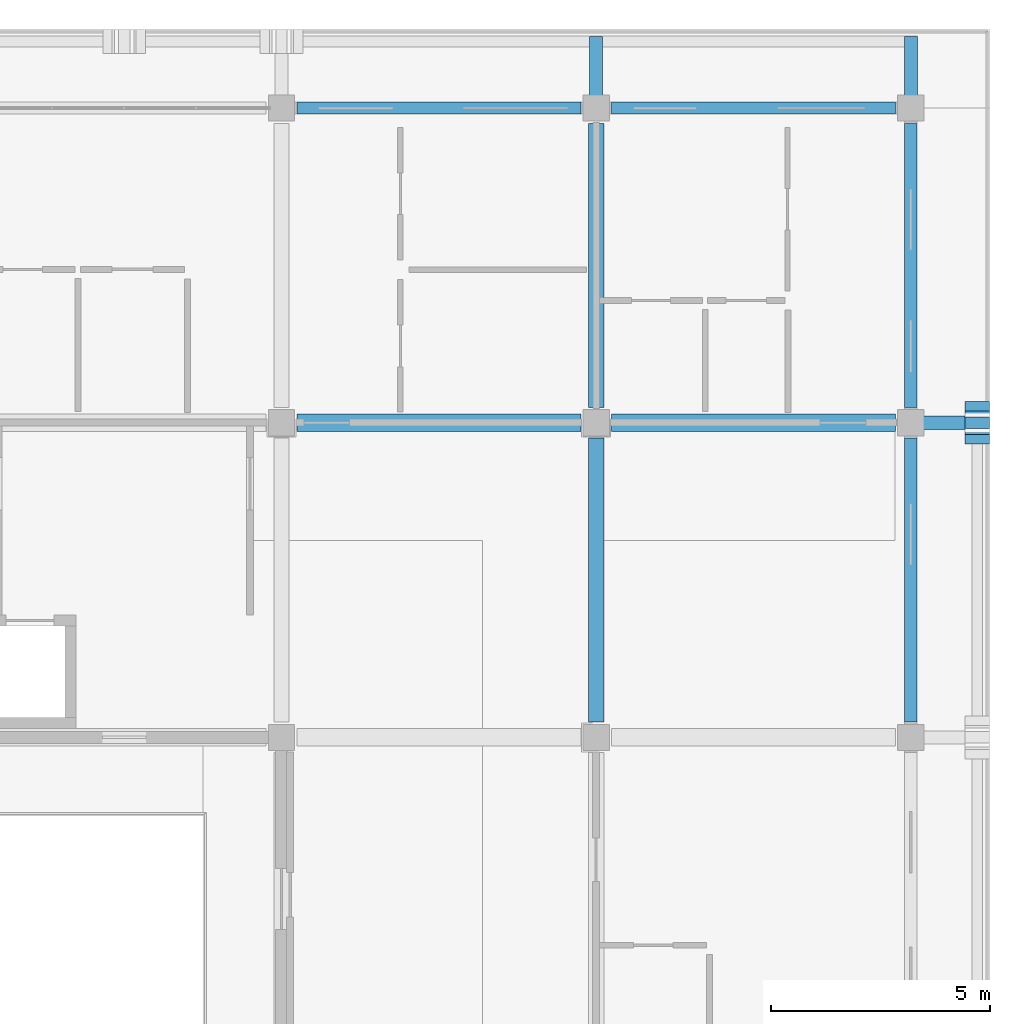
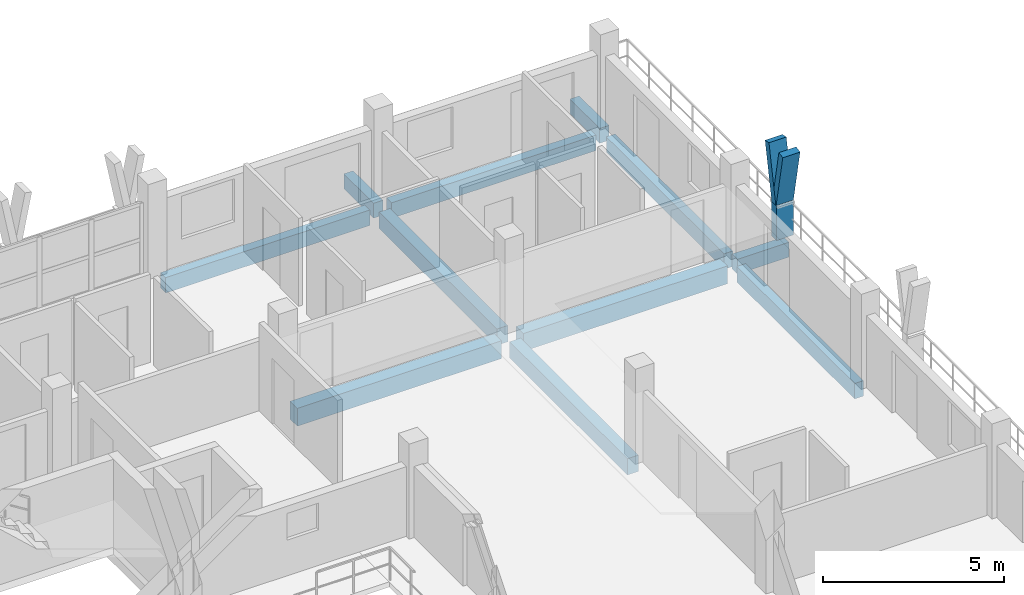
# One storey, part 92 of 157: 11 beams, 3 members.
"""IFC4 building model written with IfcOpenShell, lengths in metres."""

from ifc_helpers import new_model, si_unit, direction, frame, origin, origin_2d, place, context, subcontext, project, spatial, rectangle, extrude, material, material_profile, profile_set, type_object, element, save


model = new_model("IFC4")

# Units and contexts
model_context = context("Model", 3, precision=1e-05, world=origin(), true_north=direction((0.0, 1.0)))
body_context = subcontext(model_context, "Body", "Model", "MODEL_VIEW")
ifc_project = project(units=[si_unit("LENGTHUNIT", "METRE"), si_unit("AREAUNIT", "SQUARE_METRE"), si_unit("VOLUMEUNIT", "CUBIC_METRE"), si_unit("PLANEANGLEUNIT", "RADIAN"), si_unit("MASSUNIT", "GRAM", prefix="KILO")], contexts=[model_context])

# Site, building, storey
site_placement = place(None, origin())
site = spatial("IfcSite", under=ifc_project, at=site_placement, CompositionType="ELEMENT")
building_placement = place(site_placement, origin())
building = spatial("IfcBuilding", under=site, at=building_placement, Name="Suanplinth Sawtooth Commons", CompositionType="ELEMENT")
storey_placement = place(building_placement, frame((0.0, 0.0, 9.0)))
storey = spatial("IfcBuildingStorey", under=building, at=storey_placement, Name="L02", CompositionType="ELEMENT", Elevation=9.0)

# Beams
ifc_material_1 = material(Name="Precast concrete C40/50", Category="concrete")
ifc_material_profile_1 = material_profile(ifc_material_1, rectangle(XDim=0.39990234375, YDim=0.60009765625, at=origin_2d()), Name="PC-GDR 400x600")
ifc_profile_set_1 = profile_set([ifc_material_profile_1], Name="Precast concrete C40/50")
beam_type_1 = type_object("IfcBeamType", Name="B-05", PredefinedType="USERDEFINED", material=ifc_profile_set_1)
for number, where, z_axis, x_axis, name in (
    (1, (173.14990234375, 115.199951171875, -0.550048828125), (1.0, 0.0, 0.0), (0.0, 1.0, 0.0), "BMX-L02-B-24-16"),
    (2, (180.35009765625, 115.199951171875, -0.550048828125), (1.0, 0.0, 0.0), (0.0, 1.0, 0.0), "BMX-L02-B-25-16"),
):
    element("IfcBeam", number, at=place(storey_placement, frame(where, z_axis=z_axis, x_axis=x_axis)), inside=storey, type_object=beam_type_1, Name=name, ObjectType="GIRDER", PredefinedType="USERDEFINED", context=body_context, shape_type="SweptSolid", body=[
        extrude(rectangle(XDim=0.39990234375, YDim=0.60009765625, at=origin_2d()), origin(), (0.0, 0.0, 1.0), 6.5),
    ])
ifc_material_profile_2 = material_profile(ifc_material_1, rectangle(XDim=0.35009765625, YDim=0.550048828125, at=origin_2d()), Name="PC-BM 350x550")
ifc_profile_set_2 = profile_set([ifc_material_profile_2], Name="Precast concrete C40/50")
beam_type_2 = type_object("IfcBeamType", Name="B-06", PredefinedType="BEAM", material=ifc_profile_set_2)
for number, where, z_axis, x_axis, name in (
    (3, (180.0, 108.35009765625, -0.52490234375), (0.0, 1.0, 0.0), (-1.0, 0.0, 0.0), "BMY-L02-B-25-15"),
    (4, (180.0, 115.550048828125, -0.52490234375), (0.0, 1.0, 0.0), (-1.0, 0.0, 0.0), "BMY-L02-B-25-16"),
):
    element("IfcBeam", number, at=place(storey_placement, frame(where, z_axis=z_axis, x_axis=x_axis)), inside=storey, type_object=beam_type_2, Name=name, PredefinedType="BEAM", context=body_context, shape_type="SweptSolid", body=[
        extrude(rectangle(XDim=0.35009765625, YDim=0.550048828125, at=origin_2d()), origin(), (0.0, 0.0, 1.0), 6.5),
    ])
ifc_material_profile_3 = material_profile(ifc_material_1, rectangle(XDim=0.300048828125, YDim=0.5, at=origin_2d()), Name="PC-BM 300x500")
ifc_profile_set_3 = profile_set([ifc_material_profile_3], Name="Precast concrete C40/50")
beam_type_3 = type_object("IfcBeamType", Name="B-07", PredefinedType="BEAM", material=ifc_profile_set_3)
for number, where, z_axis, x_axis, name in (
    (5, (180.0, 122.39990234375, -0.429931640625), (0.0, 1.0, 0.0), (-1.0, 0.0, 0.0), "Balcony Outrigger L02-B-N-25"),
    (6, (187.199951171875, 122.39990234375, -0.429931640625), (0.0, 1.0, 0.0), (-1.0, 0.0, 0.0), "Balcony Outrigger L02-B-N-26"),
    (7, (187.199951171875, 115.199951171875, -0.429931640625), (1.0, 0.0, 0.0), (0.0, 1.0, 0.0), "Balcony Outrigger L02-B-E-16"),
):
    element("IfcBeam", number, at=place(storey_placement, frame(where, z_axis=z_axis, x_axis=x_axis)), inside=storey, type_object=beam_type_3, Name=name, PredefinedType="BEAM", context=body_context, shape_type="SweptSolid", body=[
        extrude(rectangle(XDim=0.300048828125, YDim=0.5, at=origin_2d()), origin(), (0.0, 0.0, 1.0), 1.64013671875),
    ])
ifc_material_profile_4 = material_profile(ifc_material_1, rectangle(XDim=0.280029296875, YDim=0.52001953125, at=origin_2d()), Name="PC-SP 280x520")
ifc_profile_set_4 = profile_set([ifc_material_profile_4], Name="Precast concrete C40/50")
beam_type_4 = type_object("IfcBeamType", Name="B-08", PredefinedType="SPANDREL", material=ifc_profile_set_4)
for number, where, z_axis, x_axis, name in (
    (8, (173.14990234375, 122.39990234375, -0.510009765625), (1.0, 0.0, 0.0), (0.0, 1.0, 0.0), "BMX-L02-B-24-17"),
    (9, (180.35009765625, 122.39990234375, -0.510009765625), (1.0, 0.0, 0.0), (0.0, 1.0, 0.0), "BMX-L02-B-25-17"),
    (10, (187.199951171875, 108.35009765625, -0.510009765625), (0.0, 1.0, 0.0), (-1.0, 0.0, 0.0), "BMY-L02-B-26-15"),
    (11, (187.199951171875, 115.550048828125, -0.510009765625), (0.0, 1.0, 0.0), (-1.0, 0.0, 0.0), "BMY-L02-B-26-16"),
):
    element("IfcBeam", number, at=place(storey_placement, frame(where, z_axis=z_axis, x_axis=x_axis)), inside=storey, type_object=beam_type_4, Name=name, PredefinedType="SPANDREL", context=body_context, shape_type="SweptSolid", body=[
        extrude(rectangle(XDim=0.280029296875, YDim=0.52001953125, at=origin_2d()), origin(), (0.0, 0.0, 1.0), 6.5),
    ])

# Members
ifc_material_2 = material(Name="Pigmented precast concrete C40/50", Category="concrete")
ifc_material_profile_5 = material_profile(ifc_material_2, rectangle(XDim=0.260009765625, YDim=0.550048828125, at=origin_2d()), Name="PC-FIN 260x550")
ifc_profile_set_5 = profile_set([ifc_material_profile_5], Name="Pigmented precast concrete C40/50")
member_type_1 = type_object("IfcMemberType", Name="M-09", PredefinedType="USERDEFINED", material=ifc_profile_set_5)
member_1_placement = place(storey_placement, frame((188.719970703125, 115.199951171875, 0.0), z_axis=(0.0, 0.0, 1.0), x_axis=(0.0, 1.0, 0.0)))
element("IfcMember", 12, at=member_1_placement, inside=storey, type_object=member_type_1, Name="Y-Blade Stem L02-B-E-13", ObjectType="SHADING FIN", PredefinedType="USERDEFINED", context=body_context, shape_type="SweptSolid", body=[
    extrude(rectangle(XDim=0.260009765625, YDim=0.550048828125, at=origin_2d()), origin(), (0.0, 0.0, 1.0), 1.169921875),
])
ifc_material_profile_6 = material_profile(ifc_material_2, rectangle(XDim=0.219970703125, YDim=0.550048828125, at=origin_2d()), Name="PC-FIN 220x550")
ifc_profile_set_6 = profile_set([ifc_material_profile_6], Name="Pigmented precast concrete C40/50")
member_type_2 = type_object("IfcMemberType", Name="M-10", PredefinedType="USERDEFINED", material=ifc_profile_set_6)
member_2_placement = place(storey_placement, frame((188.719970703125, 115.199951171875, 1.1298828125), z_axis=(0.0, -0.196285728346, 0.980546741796), x_axis=(0.0, 0.980546741796, 0.196285728346)))
element("IfcMember", 13, at=member_2_placement, inside=storey, type_object=member_type_2, Name="Y-Blade Arm L L02-B-E-13", ObjectType="SHADING FIN", PredefinedType="USERDEFINED", context=body_context, shape_type="SweptSolid", body=[
    extrude(rectangle(XDim=0.219970703125, YDim=0.550048828125, at=origin_2d()), origin(), (0.0, 0.0, 1.0), 1.937744140625),
])
member_3_placement = place(storey_placement, frame((188.719970703125, 115.199951171875, 1.1298828125), z_axis=(0.0, 0.196406855569, 0.980522486782), x_axis=(0.0, -0.980522486782, 0.196406855569)))
element("IfcMember", 14, at=member_3_placement, inside=storey, type_object=member_type_2, Name="Y-Blade Arm R L02-B-E-13", ObjectType="SHADING FIN", PredefinedType="USERDEFINED", context=body_context, shape_type="SweptSolid", body=[
    extrude(rectangle(XDim=0.219970703125, YDim=0.550048828125, at=origin_2d()), origin(), (0.0, 0.0, 1.0), 1.93798828125),
])

save(model, "model.ifc")
